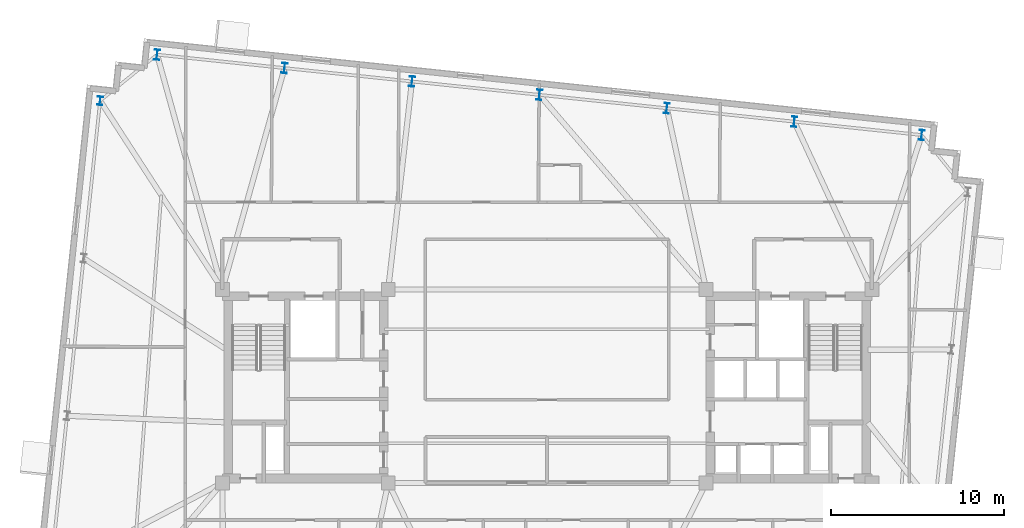
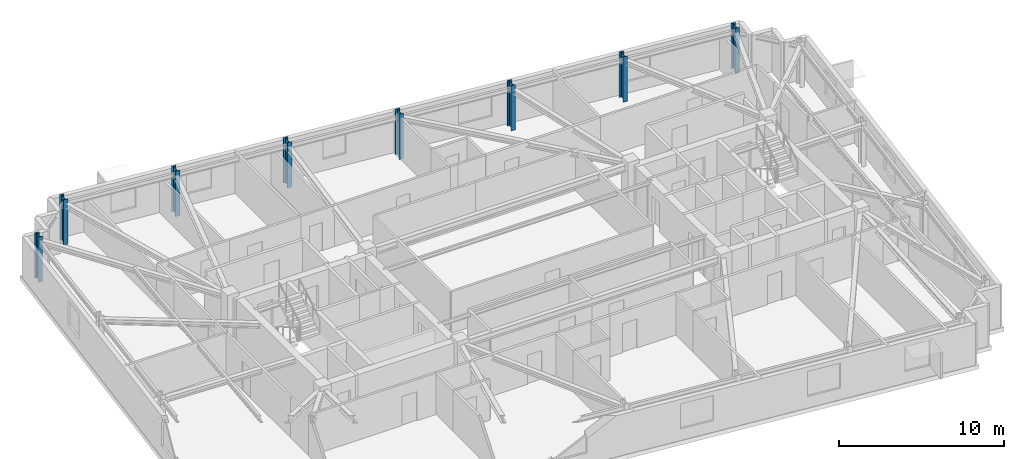
# One storey, part 3 of 11: 8 columns.
"""IFC4 building model written with IfcOpenShell, lengths in metres."""

import ifcopenshell
import ifcopenshell.guid

model = None  # the IFC model being written
_history = None  # IfcOwnerHistory: only IFC2X3 demands one
_inside = {}  # id of a spatial element -> (the spatial element, [elements in it])
_under = {}  # id of a project, library or spatial element -> (it, [spatial elements below it])
_declared = {}  # id of a project -> (the project, [libraries it declares])
_typed = {}  # id of a type object -> (the type object, [elements of that type])
_made_of = {}  # id of a material, layer set ... -> (it, [elements and type objects made of it])


def new_model(schema):
    """Start an empty IFC model of exactly this schema.

    Asked for "IFC4X3", IfcOpenShell would pick the latest addendum, in which some entities
    have other attributes; the version numbers below select the first issue.
    IFC2X3 requires an IfcOwnerHistory on every rooted entity: one is made here for all.
    """
    global model, _history
    if schema == "IFC4X3":
        model = ifcopenshell.file(schema_version=(4, 3, 0, 0))
    else:
        model = ifcopenshell.file(schema=schema)
    _inside.clear()
    _under.clear()
    _declared.clear()
    _typed.clear()
    _made_of.clear()
    _history = None
    if model.schema == "IFC2X3":
        org = make("IfcOrganization", Name="unknown")
        user = make(
            "IfcPersonAndOrganization",
            ThePerson=make("IfcPerson", FamilyName="unknown"),
            TheOrganization=org,
        )
        app = make(
            "IfcApplication",
            ApplicationDeveloper=org,
            Version="unknown",
            ApplicationFullName="unknown",
            ApplicationIdentifier="unknown",
        )
        _history = make(
            "IfcOwnerHistory",
            OwningUser=user,
            OwningApplication=app,
            ChangeAction="ADDED",
            CreationDate=0,
        )
    return model


def make(cls, **values):
    """One entity of the class cls with the attributes given. An attribute that is None is left unset."""
    return model.create_entity(
        cls, **{name: value for name, value in values.items() if value is not None}
    )


def rooted(cls, **values):
    """An entity with a GlobalId (a new one), such as an element, a storey or a relation."""
    return make(cls, GlobalId=ifcopenshell.guid.new(), OwnerHistory=_history, **values)


def si_unit(unit_type, name, prefix=None):
    """IfcSIUnit, for example si_unit("LENGTHUNIT", "METRE", prefix="MILLI")."""
    return make("IfcSIUnit", UnitType=unit_type, Prefix=prefix, Name=name)


def assignment(units):
    """IfcUnitAssignment: the units of a project."""
    return None if units is None else make("IfcUnitAssignment", Units=units)


def point(xyz):
    """IfcCartesianPoint."""
    return None if xyz is None else make("IfcCartesianPoint", Coordinates=xyz)


def direction(xyz):
    """IfcDirection."""
    return None if xyz is None else make("IfcDirection", DirectionRatios=xyz)


def frame(location, z_axis=None, x_axis=None):
    """IfcAxis2Placement3D, a coordinate frame: its origin and axes. An axis left out is left unset."""
    return make(
        "IfcAxis2Placement3D",
        Location=point(location),
        Axis=direction(z_axis),
        RefDirection=direction(x_axis),
    )


def frame_2d(location, x_axis=None):
    """IfcAxis2Placement2D, a coordinate frame in the plane: its origin and x axis."""
    return make(
        "IfcAxis2Placement2D", Location=point(location), RefDirection=direction(x_axis)
    )


def origin():
    """The frame at (0, 0, 0) with its axes left unset."""
    return frame((0.0, 0.0, 0.0))


def origin_2d():
    """The frame at (0, 0) in the plane with its x axis left unset."""
    return frame_2d((0.0, 0.0))


def place(relative_to, where):
    """IfcLocalPlacement: puts the frame where relative to a parent placement (None: the world)."""
    return make(
        "IfcLocalPlacement", PlacementRelTo=relative_to, RelativePlacement=where
    )


def context(
    kind, dimensions, precision=None, world=None, true_north=None, identifier=None
):
    """IfcGeometricRepresentationContext, for example the 3D "Model" context."""
    return make(
        "IfcGeometricRepresentationContext",
        ContextIdentifier=identifier,
        ContextType=kind,
        CoordinateSpaceDimension=dimensions,
        Precision=precision,
        WorldCoordinateSystem=world,
        TrueNorth=true_north,
    )


def subcontext(parent, identifier, kind, view, scale=None):
    """IfcGeometricRepresentationSubContext, for example "Body" below "Model"."""
    return make(
        "IfcGeometricRepresentationSubContext",
        ContextIdentifier=identifier,
        ContextType=kind,
        ParentContext=parent,
        TargetScale=scale,
        TargetView=view,
    )


def project(units=None, contexts=None):
    """IfcProject with its units and contexts."""
    return rooted(
        "IfcProject",
        Name="project",
        RepresentationContexts=contexts,
        UnitsInContext=assignment(units),
    )


def spatial(cls, under=None, at=None, **own):
    """A site, building, storey or space (cls), placed at a placement, below another one or the project."""
    s = rooted(cls, ObjectPlacement=at, **own)
    if under is not None:
        _under.setdefault(under.id(), (under, []))[1].append(s)
    return s


def profile(cls, at=None, kind="AREA", **sizes):
    """A parametric profile (cls). Its sizes go by their IFC names, for example OverallWidth=200.0."""
    return make(cls, ProfileType=kind, Position=at, **sizes)


def i_section(**sizes):
    """IfcIShapeProfileDef."""
    return profile("IfcIShapeProfileDef", **sizes)


def extrude(swept, where, along, depth):
    """IfcExtrudedAreaSolid: the profile swept, set in the frame where, extruded along a direction by depth."""
    return make(
        "IfcExtrudedAreaSolid",
        SweptArea=swept,
        Position=where,
        ExtrudedDirection=direction(along),
        Depth=depth,
    )


def shape(context_of_items, identifier, shape_type, items):
    """IfcShapeRepresentation: the items that make up one representation, for example the "Body"."""
    return make(
        "IfcShapeRepresentation",
        ContextOfItems=context_of_items,
        RepresentationIdentifier=identifier,
        RepresentationType=shape_type,
        Items=items,
    )


def material(Name=None, Category=None):
    """IfcMaterial."""
    return make("IfcMaterial", Name=Name, Category=Category)


def material_profile(
    of_material, cross_section, Name=None, Category=None, Priority=None
):
    """IfcMaterialProfile: a cross section and its material."""
    return make(
        "IfcMaterialProfile",
        Name=Name,
        Material=of_material,
        Profile=cross_section,
        Priority=Priority,
        Category=Category,
    )


def profile_set(profiles, Name=None, composite=None):
    """IfcMaterialProfileSet."""
    return make(
        "IfcMaterialProfileSet",
        Name=Name,
        MaterialProfiles=profiles,
        CompositeProfile=composite,
    )


def made_of(thing, what):
    """Note that an element or type object is made of a material, layer set ...; save() writes the relation."""
    if what is not None:
        _made_of.setdefault(what.id(), (what, []))[1].append(thing)
    return thing


def type_object(cls, material=None, **own):
    """A type object (cls), such as IfcWallType, which elements share."""
    return made_of(rooted(cls, **own), material)


def element(
    cls,
    number,
    at=None,
    inside=None,
    cuts=None,
    type_object=None,
    material=None,
    context=None,
    identifier="Body",
    shape_type=None,
    held_by="IfcProductDefinitionShape",
    body=None,
    shapes=None,
    **own,
):
    """One element of the class cls, such as IfcWall. Its Tag is "e" and its number.

    at: its placement. inside: the storey or other place that contains it. cuts: it is an
    opening in that element (IfcRelVoidsElement). A single representation is given by context,
    identifier, shape_type and body (its items); several are given by shapes. held_by: the class
    of the entity that holds the representations. save() writes the other relations.
    """
    e = rooted(cls, Tag="e%d" % number, ObjectPlacement=at, **own)
    if body is not None:
        shapes = [shape(context, identifier, shape_type, body)]
    if shapes is not None:
        e.Representation = make(held_by, Representations=shapes)
    if inside is not None:
        _inside.setdefault(inside.id(), (inside, []))[1].append(e)
    if cuts is not None:
        rooted(
            "IfcRelVoidsElement", RelatingBuildingElement=cuts, RelatedOpeningElement=e
        )
    if type_object is not None:
        _typed.setdefault(type_object.id(), (type_object, []))[1].append(e)
    return made_of(e, material)


def aggregate(whole, parts):
    """IfcRelAggregates: a whole, such as a stair, and the parts it consists of."""
    return rooted("IfcRelAggregates", RelatingObject=whole, RelatedObjects=parts)


def save(model, path):
    """Write the relations noted so far, then the file.

    IfcRelAggregates (storeys below a building ...), IfcRelContainedInSpatialStructure (elements
    in a storey), IfcRelDefinesByType, IfcRelAssociatesMaterial and IfcRelDeclares: one each for
    every whole, place, type object, material and project.
    """
    for whole, parts in _under.values():
        aggregate(whole, parts)
    for where, things in _inside.values():
        rooted(
            "IfcRelContainedInSpatialStructure",
            RelatedElements=things,
            RelatingStructure=where,
        )
    for kind, things in _typed.values():
        rooted("IfcRelDefinesByType", RelatedObjects=things, RelatingType=kind)
    for what, things in _made_of.values():
        rooted("IfcRelAssociatesMaterial", RelatedObjects=things, RelatingMaterial=what)
    for by, libraries in _declared.values():
        rooted("IfcRelDeclares", RelatingContext=by, RelatedDefinitions=libraries)
    model.write(path)


model = new_model("IFC4")

# Units and contexts
model_context = context("Model", 3, precision=1e-05, world=origin(), true_north=direction((0.0, 1.0)))
body_context = subcontext(model_context, "Body", "Model", "MODEL_VIEW")
ifc_project = project(units=[si_unit("LENGTHUNIT", "METRE"), si_unit("AREAUNIT", "SQUARE_METRE"), si_unit("VOLUMEUNIT", "CUBIC_METRE"), si_unit("PLANEANGLEUNIT", "RADIAN"), si_unit("MASSUNIT", "GRAM", prefix="KILO")], contexts=[model_context])

# Site, building, storey
site_placement = place(None, origin())
site = spatial("IfcSite", under=ifc_project, at=site_placement, CompositionType="ELEMENT")
building_placement = place(site_placement, origin())
building = spatial("IfcBuilding", under=site, at=building_placement, Name="Qobustan Lattice House", CompositionType="ELEMENT")
storey_placement = place(building_placement, frame((0.0, 0.0, 193.050048828125)))
storey = spatial("IfcBuildingStorey", under=building, at=storey_placement, Name="L54", CompositionType="ELEMENT", Elevation=193.050048828125)

# Columns
ifc_material_1 = material(Name="Steel S355", Category="steel")
ifc_material_profile_1 = material_profile(ifc_material_1, i_section(OverallWidth=0.300048828125, OverallDepth=0.5, WebThickness=0.014404296875, FlangeThickness=0.028076171875, FilletRadius=0.027099609375, at=origin_2d()), Name="HEB500")
ifc_profile_set_1 = profile_set([ifc_material_profile_1], Name="Steel S355")
column_type_1 = type_object("IfcColumnType", Name="COL-ST-HEB500", PredefinedType="COLUMN", material=ifc_profile_set_1)
column_placement = place(storey_placement, frame((-25.87451171875, 16.513916015625, 0.0), z_axis=(0.0, 0.0, 1.0), x_axis=(0.994521895368, -0.104528463268, 0.0)))
element("IfcColumn", 1, at=column_placement, inside=storey, type_object=column_type_1, Name="L54 B4 perimeter column W1", PredefinedType="COLUMN", context=body_context, shape_type="SweptSolid", body=[
    extrude(i_section(OverallWidth=0.300048828125, OverallDepth=0.5, WebThickness=0.014404296875, FlangeThickness=0.028076171875, FilletRadius=0.027099609375, at=origin_2d()), origin(), (0.0, 0.0, 1.0), 3.349853515625),
])
ifc_material_2 = material(Name="Steel S355", Category="steel")
ifc_material_profile_2 = material_profile(ifc_material_2, i_section(OverallWidth=0.300048828125, OverallDepth=0.60009765625, WebThickness=0.015380859375, FlangeThickness=0.030029296875, FilletRadius=0.027099609375, at=origin_2d()), Name="HEB600")
ifc_profile_set_2 = profile_set([ifc_material_profile_2], Name="Steel S355")
column_type_2 = type_object("IfcColumnType", Name="COL-ST-HEB600", PredefinedType="COLUMN", material=ifc_profile_set_2)
for number, where, z_axis, x_axis, name in (
    (2, (21.678955078125, 14.532470703125, 0.0), (0.0, 0.0, 1.0), (0.994521895368, -0.104528463268, 0.0), "L54 B4 perimeter column N1"),
    (3, (14.302978515625, 15.3076171875, 0.0), (0.0, 0.0, 1.0), (0.994521895368, -0.104528463268, 0.0), "L54 B4 perimeter column N2"),
    (4, (6.927001953125, 16.0830078125, 0.0), (0.0, 0.0, 1.0), (0.994521895368, -0.104528463268, 0.0), "L54 B4 perimeter column N3"),
    (5, (-0.44921875, 16.858154296875, 0.0), (0.0, 0.0, 1.0), (0.994521895368, -0.104528463268, 0.0), "L54 B4 perimeter column N4"),
    (6, (-7.8251953125, 17.633544921875, 0.0), (0.0, 0.0, 1.0), (0.994521895368, -0.104528463268, 0.0), "L54 B4 perimeter column N5"),
    (7, (-15.201171875, 18.40869140625, 0.0), (0.0, 0.0, 1.0), (0.994521895368, -0.104528463268, 0.0), "L54 B4 perimeter column N6"),
    (8, (-22.577392578125, 19.18408203125, 0.0), (0.0, 0.0, 1.0), (0.994521895368, -0.104528463268, 0.0), "L54 B4 perimeter column N7"),
):
    element("IfcColumn", number, at=place(storey_placement, frame(where, z_axis=z_axis, x_axis=x_axis)), inside=storey, type_object=column_type_2, Name=name, PredefinedType="COLUMN", context=body_context, shape_type="SweptSolid", body=[
        extrude(i_section(OverallWidth=0.300048828125, OverallDepth=0.60009765625, WebThickness=0.015380859375, FlangeThickness=0.030029296875, FilletRadius=0.027099609375, at=origin_2d()), origin(), (0.0, 0.0, 1.0), 3.349853515625),
    ])

save(model, "model.ifc")
